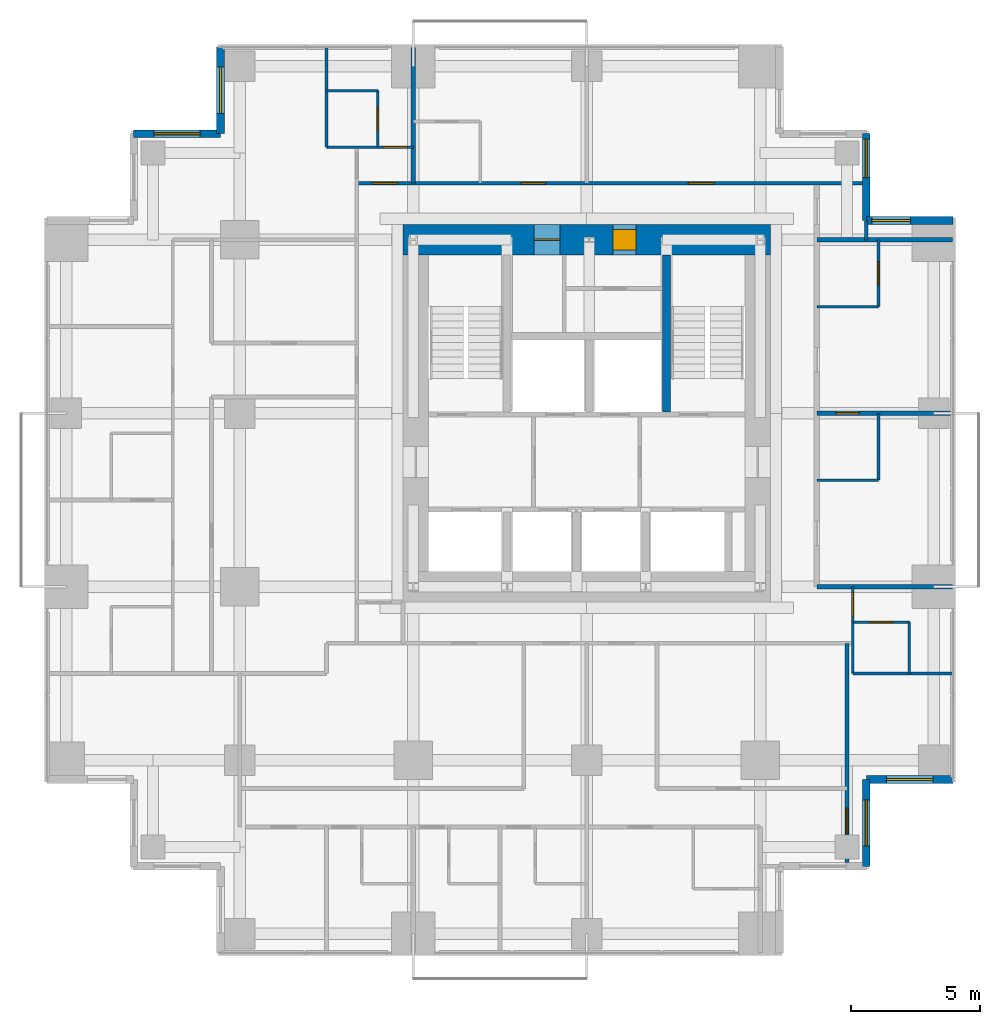
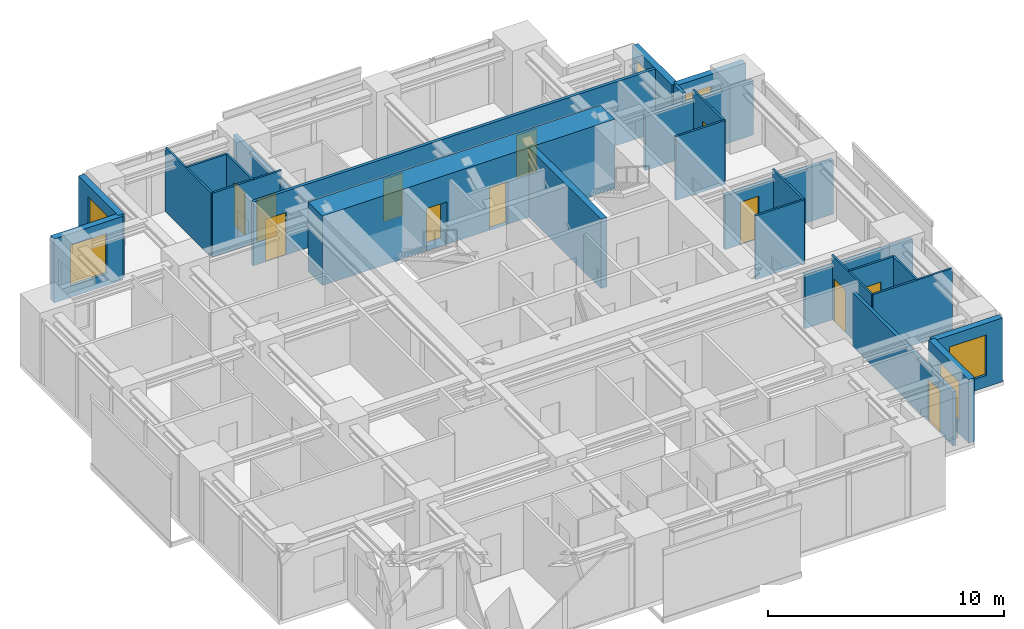
# One storey, part 8 of 10: 27 walls, 12 doors, 6 windows, 18 openings.
"""IFC4 building model written with IfcOpenShell, lengths in metres."""

from ifc_helpers import new_model, si_unit, direction, frame, frame_2d, origin, place, context, subcontext, project, spatial, rectangle, extrude, material, layer, layer_set, type_object, element, fill, save


model = new_model("IFC4")

# Units and contexts
model_context = context("Model", 3, precision=1e-05, world=origin(), true_north=direction((0.0, 1.0)))
body_context = subcontext(model_context, "Body", "Model", "MODEL_VIEW")
ifc_project = project(units=[si_unit("LENGTHUNIT", "METRE"), si_unit("AREAUNIT", "SQUARE_METRE"), si_unit("VOLUMEUNIT", "CUBIC_METRE"), si_unit("PLANEANGLEUNIT", "RADIAN"), si_unit("MASSUNIT", "GRAM", prefix="KILO")], contexts=[model_context])

# Site, building, storey
site_placement = place(None, origin())
site = spatial("IfcSite", under=ifc_project, at=site_placement, CompositionType="ELEMENT")
building_placement = place(site_placement, origin())
building = spatial("IfcBuilding", under=site, at=building_placement, Name="Nyansa Garden Tower", CompositionType="ELEMENT")
storey_placement = place(building_placement, frame((0.0, 0.0, 196.199951171875)))
storey = spatial("IfcBuildingStorey", under=building, at=storey_placement, Name="L53", CompositionType="ELEMENT", Elevation=196.199951171875)

# Walls
ifc_material_1 = material(Name="Dense blockwork, plastered both sides, 55 dB", Category="masonry")
ifc_layer_1 = layer(ifc_material_1, 0.175048828125)
ifc_layer_set_1 = layer_set([ifc_layer_1], Name="Acoustic party wall PW175")
wall_type_1 = type_object("IfcWallType", Name="Acoustic party wall PW175", PredefinedType="PARTITIONING", material=ifc_layer_set_1)
for number, where, z_axis, x_axis, name in (
    (1, (13.5, 29.199951171875, 0.0), (0.0, 0.0, 1.0), (0.0, 1.0, 0.0), "Party wall"),
    (2, (29.199951171875, 13.5, 0.0), (0.0, 0.0, 1.0), (1.0, 0.0, 0.0), "Party wall"),
):
    element("IfcWall", number, at=place(storey_placement, frame(where, z_axis=z_axis, x_axis=x_axis)), inside=storey, type_object=wall_type_1, Name=name, PredefinedType="PARTITIONING", context=body_context, shape_type="SweptSolid", body=[
        extrude(rectangle(XDim=5.283935546875, YDim=0.175048828125, at=frame_2d((2.64208984375, 0.0))), origin(), (0.0, 0.0, 1.0), 2.802001953125),
    ])

# Wall, opening, door
wall_1_placement = place(storey_placement, frame((29.199951171875, 20.25, 0.0), z_axis=(0.0, 0.0, 1.0), x_axis=(1.0, 0.0, 0.0)))
wall_1 = element("IfcWall", 3, at=wall_1_placement, inside=storey, type_object=wall_type_1, Name="Party wall", PredefinedType="PARTITIONING", context=body_context, shape_type="SweptSolid", body=[
    extrude(rectangle(XDim=5.283935546875, YDim=0.175048828125, at=frame_2d((2.64208984375, 0.0))), origin(), (0.0, 0.0, 1.0), 2.802001953125),
])
opening_1_placement = place(wall_1_placement, frame((0.75, 0.0, 0.0)))
opening_1 = element("IfcOpeningElement", 4, at=opening_1_placement, cuts=wall_1, Name="Opening D02", PredefinedType="OPENING", context=body_context, shape_type="SweptSolid", body=[
    extrude(rectangle(XDim=0.89990234375, YDim=2.199951171875, at=frame_2d((0.449951171875, 1.10009765625))), frame((0.0, 0.097412109375, 0.0), z_axis=(0.0, -1.0, 0.0), x_axis=(1.0, 0.0, 0.0)), (0.0, 0.0, 1.0), 0.195068359375),
])
ifc_material_2 = material(Name="Timber flush door", Category="wood")
door_type_1 = type_object("IfcDoorType", Name="En-suite door D02 900x2200", OperationType="SINGLE_SWING_RIGHT", PredefinedType="DOOR", material=ifc_material_2)
door_1_placement = place(opening_1_placement, origin())
door_1 = element("IfcDoor", 5, at=door_1_placement, inside=storey, type_object=door_type_1, Name="Door L53-035", OperationType="SINGLE_SWING_RIGHT", OverallHeight=2.199951171875, OverallWidth=0.89990234375, PredefinedType="DOOR", context=body_context, shape_type="SweptSolid", body=[
    extrude(rectangle(XDim=0.89990234375, YDim=2.199951171875, at=frame_2d((0.449951171875, 1.10009765625))), frame((0.0, 0.02490234375, 0.0), z_axis=(0.0, -1.0, 0.0), x_axis=(1.0, 0.0, 0.0)), (0.0, 0.0, 1.0), 0.050048828125),
])
fill(opening_1, door_1)

# Walls
wall_2_placement = place(storey_placement, frame((29.199951171875, 27.0, 0.0), z_axis=(0.0, 0.0, 1.0), x_axis=(1.0, 0.0, 0.0)))
element("IfcWall", 6, at=wall_2_placement, inside=storey, type_object=wall_type_1, Name="Party wall", PredefinedType="PARTITIONING", context=body_context, shape_type="SweptSolid", body=[
    extrude(rectangle(XDim=5.283935546875, YDim=0.175048828125, at=frame_2d((2.64208984375, 0.0))), origin(), (0.0, 0.0, 1.0), 2.802001953125),
])
ifc_material_3 = material(Name="Concrete C70/85", Category="concrete")
ifc_layer_2 = layer(ifc_material_3, 0.300048828125)
ifc_layer_set_2 = layer_set([ifc_layer_2], Name="Core inner wall CI300")
wall_type_2 = type_object("IfcWallType", Name="Core inner wall CI300", PredefinedType="SHEAR", material=ifc_layer_set_2)
wall_3_placement = place(storey_placement, frame((23.35009765625, 20.300048828125, 0.0), z_axis=(0.0, 0.0, 1.0), x_axis=(0.0, 1.0, 0.0)))
element("IfcWall", 7, at=wall_3_placement, inside=storey, type_object=wall_type_2, Name="Core inner wall L53", PredefinedType="SHEAR", context=body_context, shape_type="SweptSolid", body=[
    extrude(rectangle(XDim=6.099853515625, YDim=0.300048828125, at=frame_2d((3.0498046875, 0.0))), origin(), (0.0, 0.0, 1.0), 3.60009765625),
])

# Wall, openings, doors
ifc_material_4 = material(Name="Concrete C80/95", Category="concrete")
ifc_layer_3 = layer(ifc_material_4, 1.199951171875)
ifc_layer_set_3 = layer_set([ifc_layer_3], Name="Core wall CW1200")
wall_type_3 = type_object("IfcWallType", Name="Core wall CW1200", PredefinedType="SHEAR", material=ifc_layer_set_3)
wall_4_placement = place(storey_placement, frame((27.39990234375, 27.0, 0.0), z_axis=(0.0, 0.0, 1.0), x_axis=(-1.0, 0.0, 0.0)))
wall_4 = element("IfcWall", 8, at=wall_4_placement, inside=storey, type_object=wall_type_3, Name="Core wall N L53", PredefinedType="SHEAR", context=body_context, shape_type="SweptSolid", body=[
    extrude(rectangle(XDim=14.2998046875, YDim=1.199951171875, at=frame_2d((7.14990234375, 0.0))), origin(), (0.0, 0.0, 1.0), 3.60009765625),
])
opening_2_placement = place(wall_4_placement, frame((5.22509765625, 0.0, 0.0)))
opening_2 = element("IfcOpeningElement", 9, at=opening_2_placement, cuts=wall_4, Name="Opening D15", PredefinedType="OPENING", context=body_context, shape_type="SweptSolid", body=[
    extrude(rectangle(XDim=0.89990234375, YDim=2.199951171875, at=frame_2d((0.449951171875, 1.10009765625))), frame((0.0, 0.60986328125, 0.0), z_axis=(0.0, -1.0, 0.0), x_axis=(1.0, 0.0, 0.0)), (0.0, 0.0, 1.0), 1.219970703125),
])
opening_3_placement = place(wall_4_placement, frame((8.199951171875, 0.0, 0.0)))
opening_3 = element("IfcOpeningElement", 10, at=opening_3_placement, cuts=wall_4, Name="Opening D07", PredefinedType="OPENING", context=body_context, shape_type="SweptSolid", body=[
    extrude(rectangle(XDim=1.0, YDim=2.199951171875, at=frame_2d((0.5, 1.10009765625))), frame((0.0, 0.60986328125, 0.0), z_axis=(0.0, -1.0, 0.0), x_axis=(1.0, 0.0, 0.0)), (0.0, 0.0, 1.0), 1.219970703125),
])
ifc_material_5 = material(Name="Timber flush door, 60 minute fire resisting, self-closing", Category="wood")
door_type_2 = type_object("IfcDoorType", Name="Core room door D15 900x2200", OperationType="SINGLE_SWING_LEFT", PredefinedType="DOOR", material=ifc_material_5)
door_2_placement = place(opening_2_placement, origin())
door_2 = element("IfcDoor", 11, at=door_2_placement, inside=storey, type_object=door_type_2, Name="Core room door", OperationType="SINGLE_SWING_LEFT", OverallHeight=2.199951171875, OverallWidth=0.89990234375, PredefinedType="DOOR", context=body_context, shape_type="SweptSolid", body=[
    extrude(rectangle(XDim=0.89990234375, YDim=2.199951171875, at=frame_2d((0.449951171875, 1.10009765625))), frame((0.0, 0.39990234375, 0.0), z_axis=(0.0, -1.0, 0.0), x_axis=(1.0, 0.0, 0.0)), (0.0, 0.0, 1.0), 0.800048828125),
])
fill(opening_2, door_2)
ifc_material_6 = material(Name="Steel door, 120 minute fire resisting", Category="steel")
door_type_3 = type_object("IfcDoorType", Name="Riser door D07 1000x2200", OperationType="SINGLE_SWING_LEFT", PredefinedType="DOOR", material=ifc_material_6)
door_3_placement = place(opening_3_placement, origin())
door_3 = element("IfcDoor", 12, at=door_3_placement, inside=storey, type_object=door_type_3, Name="Riser and refuse room door", OperationType="SINGLE_SWING_LEFT", OverallHeight=2.199951171875, OverallWidth=1.0, PredefinedType="DOOR", context=body_context, shape_type="SweptSolid", body=[
    extrude(rectangle(XDim=1.0, YDim=2.199951171875, at=frame_2d((0.5, 1.10009765625))), frame((0.0, 0.02490234375, 0.0), z_axis=(0.0, -1.0, 0.0), x_axis=(1.0, 0.0, 0.0)), (0.0, 0.0, 1.0), 0.050048828125),
])
fill(opening_3, door_3)

ifc_material_7 = material(Name="Blockwork, plastered both sides", Category="masonry")
ifc_layer_4 = layer(ifc_material_7, 0.14990234375)
ifc_layer_set_4 = layer_set([ifc_layer_4], Name="Partition PW150")
wall_type_4 = type_object("IfcWallType", Name="Partition PW150", PredefinedType="PARTITIONING", material=ifc_layer_set_4)
wall_5_placement = place(storey_placement, frame((11.300048828125, 29.199951171875, 0.0), z_axis=(0.0, 0.0, 1.0), x_axis=(1.0, 0.0, 0.0)))
wall_5 = element("IfcWall", 13, at=wall_5_placement, inside=storey, type_object=wall_type_4, Name="Partition", PredefinedType="PARTITIONING", context=body_context, shape_type="SweptSolid", body=[
    extrude(rectangle(XDim=19.808837890625, YDim=0.14990234375, at=frame_2d((9.904296875, 0.0))), origin(), (0.0, 0.0, 1.0), 3.300048828125),
])
opening_4_placement = place(wall_5_placement, frame((12.89990234375, 0.0, 0.0)))
opening_4 = element("IfcOpeningElement", 14, at=opening_4_placement, cuts=wall_5, Name="Opening D03", PredefinedType="OPENING", context=body_context, shape_type="SweptSolid", body=[
    extrude(rectangle(XDim=1.0, YDim=2.199951171875, at=frame_2d((0.5, 1.10009765625))), frame((0.0, 0.0849609375, 0.0), z_axis=(0.0, -1.0, 0.0), x_axis=(1.0, 0.0, 0.0)), (0.0, 0.0, 1.0), 0.169921875),
])
opening_5_placement = place(wall_5_placement, frame((6.39990234375, 0.0, 0.0)))
opening_5 = element("IfcOpeningElement", 15, at=opening_5_placement, cuts=wall_5, Name="Opening D14", PredefinedType="OPENING", context=body_context, shape_type="SweptSolid", body=[
    extrude(rectangle(XDim=0.949951171875, YDim=2.199951171875, at=frame_2d((0.47509765625, 1.10009765625))), frame((0.0, 0.0849609375, 0.0), z_axis=(0.0, -1.0, 0.0), x_axis=(1.0, 0.0, 0.0)), (0.0, 0.0, 1.0), 0.169921875),
])
opening_6_placement = place(wall_5_placement, frame((0.60009765625, 0.0, 0.0)))
opening_6 = element("IfcOpeningElement", 16, at=opening_6_placement, cuts=wall_5, Name="Opening D03", PredefinedType="OPENING", context=body_context, shape_type="SweptSolid", body=[
    extrude(rectangle(XDim=1.0, YDim=2.199951171875, at=frame_2d((0.5, 1.10009765625))), frame((0.0, 0.0849609375, 0.0), z_axis=(0.0, -1.0, 0.0), x_axis=(1.0, 0.0, 0.0)), (0.0, 0.0, 1.0), 0.169921875),
])
ifc_material_8 = material(Name="Timber flush door, 60 minute fire resisting", Category="wood")
door_type_4 = type_object("IfcDoorType", Name="Cluster entrance door D03 1000x2200", OperationType="SINGLE_SWING_LEFT", PredefinedType="DOOR", material=ifc_material_8)
door_4_placement = place(opening_4_placement, origin())
door_4 = element("IfcDoor", 17, at=door_4_placement, inside=storey, type_object=door_type_4, Name="Door L53-039", OperationType="SINGLE_SWING_LEFT", OverallHeight=2.199951171875, OverallWidth=1.0, PredefinedType="DOOR", context=body_context, shape_type="SweptSolid", body=[
    extrude(rectangle(XDim=1.0, YDim=2.199951171875, at=frame_2d((0.5, 1.10009765625))), frame((0.0, 0.02490234375, 0.0), z_axis=(0.0, -1.0, 0.0), x_axis=(1.0, 0.0, 0.0)), (0.0, 0.0, 1.0), 0.050048828125),
])
fill(opening_4, door_4)
door_5_placement = place(opening_6_placement, origin())
door_5 = element("IfcDoor", 18, at=door_5_placement, inside=storey, type_object=door_type_4, Name="Door L53-044", OperationType="SINGLE_SWING_LEFT", OverallHeight=2.199951171875, OverallWidth=1.0, PredefinedType="DOOR", context=body_context, shape_type="SweptSolid", body=[
    extrude(rectangle(XDim=1.0, YDim=2.199951171875, at=frame_2d((0.5, 1.10009765625))), frame((0.0, 0.02490234375, 0.0), z_axis=(0.0, -1.0, 0.0), x_axis=(1.0, 0.0, 0.0)), (0.0, 0.0, 1.0), 0.050048828125),
])
fill(opening_6, door_5)
ifc_material_9 = material(Name="Timber flush door, 60 minute fire resisting, self-closing", Category="wood")
door_type_5 = type_object("IfcDoorType", Name="Studio entrance door D14 950x2200", OperationType="SINGLE_SWING_LEFT", PredefinedType="DOOR", material=ifc_material_9)
door_6_placement = place(opening_5_placement, origin())
door_6 = element("IfcDoor", 19, at=door_6_placement, inside=storey, type_object=door_type_5, Name="Door L53-040", OperationType="SINGLE_SWING_LEFT", OverallHeight=2.199951171875, OverallWidth=0.949951171875, PredefinedType="DOOR", context=body_context, shape_type="SweptSolid", body=[
    extrude(rectangle(XDim=0.949951171875, YDim=2.199951171875, at=frame_2d((0.47509765625, 1.10009765625))), frame((0.0, 0.02490234375, 0.0), z_axis=(0.0, -1.0, 0.0), x_axis=(1.0, 0.0, 0.0)), (0.0, 0.0, 1.0), 0.050048828125),
])
fill(opening_5, door_6)

# Wall, opening, door
wall_6_placement = place(storey_placement, frame((30.375, 2.77490234375, 0.0), z_axis=(0.0, 0.0, 1.0), x_axis=(0.0, 1.0, 0.0)))
wall_6 = element("IfcWall", 20, at=wall_6_placement, inside=storey, type_object=wall_type_4, Name="Partition", PredefinedType="PARTITIONING", context=body_context, shape_type="SweptSolid", body=[
    extrude(rectangle(XDim=8.525146484375, YDim=0.14990234375, at=frame_2d((4.2626953125, 0.0))), origin(), (0.0, 0.0, 1.0), 2.802001953125),
])
opening_7_placement = place(wall_6_placement, frame((1.115966796875, 0.0, 0.0)))
opening_7 = element("IfcOpeningElement", 21, at=opening_7_placement, cuts=wall_6, Name="Opening D03", PredefinedType="OPENING", context=body_context, shape_type="SweptSolid", body=[
    extrude(rectangle(XDim=1.0, YDim=2.199951171875, at=frame_2d((0.5, 1.10009765625))), frame((0.0, 0.0849609375, 0.0), z_axis=(0.0, -1.0, 0.0), x_axis=(1.0, 0.0, 0.0)), (0.0, 0.0, 1.0), 0.169921875),
])
door_7_placement = place(opening_7_placement, origin())
door_7 = element("IfcDoor", 22, at=door_7_placement, inside=storey, type_object=door_type_4, Name="Door L53-031", OperationType="SINGLE_SWING_LEFT", OverallHeight=2.199951171875, OverallWidth=1.0, PredefinedType="DOOR", context=body_context, shape_type="SweptSolid", body=[
    extrude(rectangle(XDim=1.0, YDim=2.199951171875, at=frame_2d((0.5, 1.10009765625))), frame((0.0, 0.02490234375, 0.0), z_axis=(0.0, -1.0, 0.0), x_axis=(1.0, 0.0, 0.0)), (0.0, 0.0, 1.0), 0.050048828125),
])
fill(opening_7, door_7)

# Wall
wall_7_placement = place(storey_placement, frame((31.125, 27.0, 0.0), z_axis=(0.0, 0.0, 1.0), x_axis=(0.0, 1.0, 0.0)))
element("IfcWall", 23, at=wall_7_placement, inside=storey, type_object=wall_type_4, Name="Partition", PredefinedType="PARTITIONING", context=body_context, shape_type="SweptSolid", body=[
    extrude(rectangle(XDim=0.73388671875, YDim=0.14990234375, at=frame_2d((0.366943359375, 0.0))), origin(), (0.0, 0.0, 1.0), 3.300048828125),
])

# Wall, opening, window
ifc_material_10 = material(Name="Turquoise glazed tile on concrete blockwork", Category="masonry")
ifc_layer_5 = layer(ifc_material_10, 0.300048828125)
ifc_layer_set_5 = layer_set([ifc_layer_5], Name="Tiled corner wall TW300")
wall_type_5 = type_object("IfcWallType", Name="Tiled corner wall TW300", PredefinedType="SOLIDWALL", material=ifc_layer_set_5)
wall_8_placement = place(storey_placement, frame((34.5, 27.75, 0.0), z_axis=(0.0, 0.0, 1.0), x_axis=(-1.0, 0.0, 0.0)))
wall_8 = element("IfcWall", 24, at=wall_8_placement, inside=storey, type_object=wall_type_5, Name="Tiled corner wall L53", PredefinedType="SOLIDWALL", context=body_context, shape_type="SweptSolid", body=[
    extrude(rectangle(XDim=3.375, YDim=0.300048828125, at=frame_2d((1.6875, 0.0))), origin(), (0.0, 0.0, 1.0), 3.300048828125),
])
opening_8_placement = place(wall_8_placement, frame((1.657470703125, 0.0, 0.89990234375)))
opening_8 = element("IfcOpeningElement", 25, at=opening_8_placement, cuts=wall_8, Name="Opening W1", PredefinedType="OPENING", context=body_context, shape_type="SweptSolid", body=[
    extrude(rectangle(XDim=1.5, YDim=1.800048828125, at=frame_2d((0.75, 0.89990234375))), frame((0.0, 0.159912109375, 0.0), z_axis=(0.0, -1.0, 0.0), x_axis=(1.0, 0.0, 0.0)), (0.0, 0.0, 1.0), 0.320068359375),
])
ifc_material_11 = material(Name="Black aluminium frame, dark tinted double glazing", Category="aluminium")
window_type_1 = type_object("IfcWindowType", Name="Window W1 1500x1800", PartitioningType="SINGLE_PANEL", PredefinedType="WINDOW", material=ifc_material_11)
window_1_placement = place(opening_8_placement, origin())
window_1 = element("IfcWindow", 26, at=window_1_placement, inside=storey, type_object=window_type_1, Name="Corner window L53", OverallHeight=1.800048828125, OverallWidth=1.5, PartitioningType="SINGLE_PANEL", PredefinedType="WINDOW", context=body_context, shape_type="SweptSolid", body=[
    extrude(rectangle(XDim=1.5, YDim=1.800048828125, at=frame_2d((0.75, 0.89990234375))), frame((0.0, 0.030029296875, 0.0), z_axis=(0.0, -1.0, 0.0), x_axis=(1.0, 0.0, 0.0)), (0.0, 0.0, 1.0), 0.06005859375),
])
fill(opening_8, window_1)

wall_9_placement = place(storey_placement, frame((31.125, 27.75, 0.0), z_axis=(0.0, 0.0, 1.0), x_axis=(0.0, 1.0, 0.0)))
wall_9 = element("IfcWall", 27, at=wall_9_placement, inside=storey, type_object=wall_type_5, Name="Tiled corner wall L53", PredefinedType="SOLIDWALL", context=body_context, shape_type="SweptSolid", body=[
    extrude(rectangle(XDim=3.375, YDim=0.300048828125, at=frame_2d((1.6875, 0.0))), origin(), (0.0, 0.0, 1.0), 3.300048828125),
])
opening_9_placement = place(wall_9_placement, frame((1.66259765625, 0.0, 0.89990234375)))
opening_9 = element("IfcOpeningElement", 28, at=opening_9_placement, cuts=wall_9, Name="Opening W1", PredefinedType="OPENING", context=body_context, shape_type="SweptSolid", body=[
    extrude(rectangle(XDim=1.5, YDim=1.800048828125, at=frame_2d((0.75, 0.89990234375))), frame((0.0, 0.159912109375, 0.0), z_axis=(0.0, -1.0, 0.0), x_axis=(1.0, 0.0, 0.0)), (0.0, 0.0, 1.0), 0.320068359375),
])
window_2_placement = place(opening_9_placement, origin())
window_2 = element("IfcWindow", 29, at=window_2_placement, inside=storey, type_object=window_type_1, Name="Corner window L53", OverallHeight=1.800048828125, OverallWidth=1.5, PartitioningType="SINGLE_PANEL", PredefinedType="WINDOW", context=body_context, shape_type="SweptSolid", body=[
    extrude(rectangle(XDim=1.5, YDim=1.800048828125, at=frame_2d((0.75, 0.89990234375))), frame((0.0, 0.030029296875, 0.0), z_axis=(0.0, -1.0, 0.0), x_axis=(1.0, 0.0, 0.0)), (0.0, 0.0, 1.0), 0.06005859375),
])
fill(opening_9, window_2)

wall_10_placement = place(storey_placement, frame((6.0, 34.5, 0.0), z_axis=(0.0, 0.0, 1.0), x_axis=(0.0, -1.0, 0.0)))
wall_10 = element("IfcWall", 30, at=wall_10_placement, inside=storey, type_object=wall_type_5, Name="Tiled corner wall L53", PredefinedType="SOLIDWALL", context=body_context, shape_type="SweptSolid", body=[
    extrude(rectangle(XDim=3.375, YDim=0.300048828125, at=frame_2d((1.6875, 0.0))), origin(), (0.0, 0.0, 1.0), 3.300048828125),
])
opening_10_placement = place(wall_10_placement, frame((0.78759765625, 0.0, 0.60009765625)))
opening_10 = element("IfcOpeningElement", 31, at=opening_10_placement, cuts=wall_10, Name="Opening W2", PredefinedType="OPENING", context=body_context, shape_type="SweptSolid", body=[
    extrude(rectangle(XDim=1.800048828125, YDim=2.10009765625, at=frame_2d((0.89990234375, 1.050048828125))), frame((0.0, 0.159912109375, 0.0), z_axis=(0.0, -1.0, 0.0), x_axis=(1.0, 0.0, 0.0)), (0.0, 0.0, 1.0), 0.320068359375),
])
ifc_material_12 = material(Name="Black aluminium frame, dark tinted double glazing", Category="aluminium")
window_type_2 = type_object("IfcWindowType", Name="Window W2 1800x2100", PartitioningType="SINGLE_PANEL", PredefinedType="WINDOW", material=ifc_material_12)
window_3_placement = place(opening_10_placement, origin())
window_3 = element("IfcWindow", 32, at=window_3_placement, inside=storey, type_object=window_type_2, Name="Corner window L53", OverallHeight=2.10009765625, OverallWidth=1.800048828125, PartitioningType="SINGLE_PANEL", PredefinedType="WINDOW", context=body_context, shape_type="SweptSolid", body=[
    extrude(rectangle(XDim=1.800048828125, YDim=2.10009765625, at=frame_2d((0.89990234375, 1.050048828125))), frame((0.0, 0.030029296875, 0.0), z_axis=(0.0, -1.0, 0.0), x_axis=(1.0, 0.0, 0.0)), (0.0, 0.0, 1.0), 0.06005859375),
])
fill(opening_10, window_3)

wall_11_placement = place(storey_placement, frame((6.0, 31.125, 0.0), z_axis=(0.0, 0.0, 1.0), x_axis=(-1.0, 0.0, 0.0)))
wall_11 = element("IfcWall", 33, at=wall_11_placement, inside=storey, type_object=wall_type_5, Name="Tiled corner wall L53", PredefinedType="SOLIDWALL", context=body_context, shape_type="SweptSolid", body=[
    extrude(rectangle(XDim=3.375, YDim=0.300048828125, at=frame_2d((1.6875, 0.0))), origin(), (0.0, 0.0, 1.0), 3.300048828125),
])
opening_11_placement = place(wall_11_placement, frame((0.78759765625, 0.0, 0.60009765625)))
opening_11 = element("IfcOpeningElement", 34, at=opening_11_placement, cuts=wall_11, Name="Opening W2", PredefinedType="OPENING", context=body_context, shape_type="SweptSolid", body=[
    extrude(rectangle(XDim=1.800048828125, YDim=2.10009765625, at=frame_2d((0.89990234375, 1.050048828125))), frame((0.0, 0.159912109375, 0.0), z_axis=(0.0, -1.0, 0.0), x_axis=(1.0, 0.0, 0.0)), (0.0, 0.0, 1.0), 0.320068359375),
])
window_4_placement = place(opening_11_placement, origin())
window_4 = element("IfcWindow", 35, at=window_4_placement, inside=storey, type_object=window_type_2, Name="Corner window L53", OverallHeight=2.10009765625, OverallWidth=1.800048828125, PartitioningType="SINGLE_PANEL", PredefinedType="WINDOW", context=body_context, shape_type="SweptSolid", body=[
    extrude(rectangle(XDim=1.800048828125, YDim=2.10009765625, at=frame_2d((0.89990234375, 1.050048828125))), frame((0.0, 0.030029296875, 0.0), z_axis=(0.0, -1.0, 0.0), x_axis=(1.0, 0.0, 0.0)), (0.0, 0.0, 1.0), 0.06005859375),
])
fill(opening_11, window_4)

wall_12_placement = place(storey_placement, frame((31.125, 2.625, 0.0), z_axis=(0.0, 0.0, 1.0), x_axis=(0.0, 1.0, 0.0)))
wall_12 = element("IfcWall", 36, at=wall_12_placement, inside=storey, type_object=wall_type_5, Name="Tiled corner wall L53", PredefinedType="SOLIDWALL", context=body_context, shape_type="SweptSolid", body=[
    extrude(rectangle(XDim=3.375, YDim=0.300048828125, at=frame_2d((1.6875, 0.0))), origin(), (0.0, 0.0, 1.0), 3.300048828125),
])
opening_12_placement = place(wall_12_placement, frame((0.78759765625, 0.0, 0.60009765625)))
opening_12 = element("IfcOpeningElement", 37, at=opening_12_placement, cuts=wall_12, Name="Opening W2", PredefinedType="OPENING", context=body_context, shape_type="SweptSolid", body=[
    extrude(rectangle(XDim=1.800048828125, YDim=2.10009765625, at=frame_2d((0.89990234375, 1.050048828125))), frame((0.0, 0.159912109375, 0.0), z_axis=(0.0, -1.0, 0.0), x_axis=(1.0, 0.0, 0.0)), (0.0, 0.0, 1.0), 0.320068359375),
])
window_5_placement = place(opening_12_placement, origin())
window_5 = element("IfcWindow", 38, at=window_5_placement, inside=storey, type_object=window_type_2, Name="Corner window L53", OverallHeight=2.10009765625, OverallWidth=1.800048828125, PartitioningType="SINGLE_PANEL", PredefinedType="WINDOW", context=body_context, shape_type="SweptSolid", body=[
    extrude(rectangle(XDim=1.800048828125, YDim=2.10009765625, at=frame_2d((0.89990234375, 1.050048828125))), frame((0.0, 0.030029296875, 0.0), z_axis=(0.0, -1.0, 0.0), x_axis=(1.0, 0.0, 0.0)), (0.0, 0.0, 1.0), 0.06005859375),
])
fill(opening_12, window_5)

wall_13_placement = place(storey_placement, frame((31.125, 6.0, 0.0), z_axis=(0.0, 0.0, 1.0), x_axis=(1.0, 0.0, 0.0)))
wall_13 = element("IfcWall", 39, at=wall_13_placement, inside=storey, type_object=wall_type_5, Name="Tiled corner wall L53", PredefinedType="SOLIDWALL", context=body_context, shape_type="SweptSolid", body=[
    extrude(rectangle(XDim=3.375, YDim=0.300048828125, at=frame_2d((1.6875, 0.0))), origin(), (0.0, 0.0, 1.0), 3.300048828125),
])
opening_13_placement = place(wall_13_placement, frame((0.78759765625, 0.0, 0.60009765625)))
opening_13 = element("IfcOpeningElement", 40, at=opening_13_placement, cuts=wall_13, Name="Opening W2", PredefinedType="OPENING", context=body_context, shape_type="SweptSolid", body=[
    extrude(rectangle(XDim=1.800048828125, YDim=2.10009765625, at=frame_2d((0.89990234375, 1.050048828125))), frame((0.0, 0.159912109375, 0.0), z_axis=(0.0, -1.0, 0.0), x_axis=(1.0, 0.0, 0.0)), (0.0, 0.0, 1.0), 0.320068359375),
])
window_6_placement = place(opening_13_placement, origin())
window_6 = element("IfcWindow", 41, at=window_6_placement, inside=storey, type_object=window_type_2, Name="Corner window L53", OverallHeight=2.10009765625, OverallWidth=1.800048828125, PartitioningType="SINGLE_PANEL", PredefinedType="WINDOW", context=body_context, shape_type="SweptSolid", body=[
    extrude(rectangle(XDim=1.800048828125, YDim=2.10009765625, at=frame_2d((0.89990234375, 1.050048828125))), frame((0.0, 0.030029296875, 0.0), z_axis=(0.0, -1.0, 0.0), x_axis=(1.0, 0.0, 0.0)), (0.0, 0.0, 1.0), 0.06005859375),
])
fill(opening_13, window_6)

# Wall
ifc_material_13 = material(Name="Moisture resistant board on steel studs, tiled", Category="steel")
ifc_layer_6 = layer(ifc_material_13, 0.10009765625)
ifc_layer_set_6 = layer_set([ifc_layer_6], Name="Wet wall PW100")
wall_type_6 = type_object("IfcWallType", Name="Wet wall PW100", PredefinedType="PARTITIONING", material=ifc_layer_set_6)
wall_14_placement = place(storey_placement, frame((10.125, 30.60009765625, 0.0), z_axis=(0.0, 0.0, 1.0), x_axis=(0.0, 1.0, 0.0)))
element("IfcWall", 42, at=wall_14_placement, inside=storey, type_object=wall_type_6, Name="Wet wall", PredefinedType="PARTITIONING", context=body_context, shape_type="SweptSolid", body=[
    extrude(rectangle(XDim=3.8837890625, YDim=0.10009765625, at=frame_2d((1.94189453125, 0.0))), origin(), (0.0, 0.0, 1.0), 3.300048828125),
])

# Wall, opening, door
wall_15_placement = place(storey_placement, frame((10.125, 30.60009765625, 0.0), z_axis=(0.0, 0.0, 1.0), x_axis=(1.0, 0.0, 0.0)))
wall_15 = element("IfcWall", 43, at=wall_15_placement, inside=storey, type_object=wall_type_6, Name="Wet wall", PredefinedType="PARTITIONING", context=body_context, shape_type="SweptSolid", body=[
    extrude(rectangle(XDim=3.375, YDim=0.10009765625, at=frame_2d((1.6875, 0.0))), origin(), (0.0, 0.0, 1.0), 3.300048828125),
])
opening_14_placement = place(wall_15_placement, frame((2.199951171875, 0.0, 0.0)))
opening_14 = element("IfcOpeningElement", 44, at=opening_14_placement, cuts=wall_15, Name="Opening D14", PredefinedType="OPENING", context=body_context, shape_type="SweptSolid", body=[
    extrude(rectangle(XDim=0.949951171875, YDim=2.199951171875, at=frame_2d((0.47509765625, 1.10009765625))), frame((0.0, 0.06005859375, 0.0), z_axis=(0.0, -1.0, 0.0), x_axis=(1.0, 0.0, 0.0)), (0.0, 0.0, 1.0), 0.1201171875),
])
door_8_placement = place(opening_14_placement, origin())
door_8 = element("IfcDoor", 45, at=door_8_placement, inside=storey, type_object=door_type_5, Name="Door L53-042", OperationType="SINGLE_SWING_LEFT", OverallHeight=2.199951171875, OverallWidth=0.949951171875, PredefinedType="DOOR", context=body_context, shape_type="SweptSolid", body=[
    extrude(rectangle(XDim=0.949951171875, YDim=2.199951171875, at=frame_2d((0.47509765625, 1.10009765625))), frame((0.0, 0.02490234375, 0.0), z_axis=(0.0, -1.0, 0.0), x_axis=(1.0, 0.0, 0.0)), (0.0, 0.0, 1.0), 0.050048828125),
])
fill(opening_14, door_8)

# Wall
wall_16_placement = place(storey_placement, frame((10.125, 32.800048828125, 0.0), z_axis=(0.0, 0.0, 1.0), x_axis=(1.0, 0.0, 0.0)))
element("IfcWall", 46, at=wall_16_placement, inside=storey, type_object=wall_type_6, Name="Wet wall", PredefinedType="PARTITIONING", context=body_context, shape_type="SweptSolid", body=[
    extrude(rectangle(XDim=2.0, YDim=0.10009765625, at=frame_2d((1.0, 0.0))), origin(), (0.0, 0.0, 1.0), 3.300048828125),
])

# Wall, opening, door
wall_17_placement = place(storey_placement, frame((12.125, 30.60009765625, 0.0), z_axis=(0.0, 0.0, 1.0), x_axis=(0.0, 1.0, 0.0)))
wall_17 = element("IfcWall", 47, at=wall_17_placement, inside=storey, type_object=wall_type_6, Name="Wet wall", PredefinedType="PARTITIONING", context=body_context, shape_type="SweptSolid", body=[
    extrude(rectangle(XDim=2.199951171875, YDim=0.10009765625, at=frame_2d((1.10009765625, 0.0))), origin(), (0.0, 0.0, 1.0), 3.300048828125),
])
opening_15_placement = place(wall_17_placement, frame((0.64990234375, 0.0, 0.0)))
opening_15 = element("IfcOpeningElement", 48, at=opening_15_placement, cuts=wall_17, Name="Opening D02", PredefinedType="OPENING", context=body_context, shape_type="SweptSolid", body=[
    extrude(rectangle(XDim=0.89990234375, YDim=2.199951171875, at=frame_2d((0.449951171875, 1.10009765625))), frame((0.0, 0.06005859375, 0.0), z_axis=(0.0, -1.0, 0.0), x_axis=(1.0, 0.0, 0.0)), (0.0, 0.0, 1.0), 0.1201171875),
])
door_9_placement = place(opening_15_placement, origin())
door_9 = element("IfcDoor", 49, at=door_9_placement, inside=storey, type_object=door_type_1, Name="Door L53-043", OperationType="SINGLE_SWING_RIGHT", OverallHeight=2.199951171875, OverallWidth=0.89990234375, PredefinedType="DOOR", context=body_context, shape_type="SweptSolid", body=[
    extrude(rectangle(XDim=0.89990234375, YDim=2.199951171875, at=frame_2d((0.449951171875, 1.10009765625))), frame((0.0, 0.02490234375, 0.0), z_axis=(0.0, -1.0, 0.0), x_axis=(1.0, 0.0, 0.0)), (0.0, 0.0, 1.0), 0.050048828125),
])
fill(opening_15, door_9)

# Walls
for number, where, z_axis, x_axis, name in (
    (50, (29.199951171875, 17.64990234375, 0.0), (0.0, 0.0, 1.0), (1.0, 0.0, 0.0), "Wet wall"),
    (51, (29.199951171875, 24.39990234375, 0.0), (0.0, 0.0, 1.0), (1.0, 0.0, 0.0), "Wet wall"),
):
    element("IfcWall", number, at=place(storey_placement, frame(where, z_axis=z_axis, x_axis=x_axis)), inside=storey, type_object=wall_type_6, Name=name, PredefinedType="PARTITIONING", context=body_context, shape_type="SweptSolid", body=[
        extrude(rectangle(XDim=2.400146484375, YDim=0.10009765625, at=frame_2d((1.2001953125, 0.0))), origin(), (0.0, 0.0, 1.0), 3.300048828125),
    ])

# Wall, opening, door
wall_18_placement = place(storey_placement, frame((30.60009765625, 10.125, 0.0), z_axis=(0.0, 0.0, 1.0), x_axis=(0.0, 1.0, 0.0)))
wall_18 = element("IfcWall", 52, at=wall_18_placement, inside=storey, type_object=wall_type_6, Name="Wet wall", PredefinedType="PARTITIONING", context=body_context, shape_type="SweptSolid", body=[
    extrude(rectangle(XDim=3.375, YDim=0.10009765625, at=frame_2d((1.6875, 0.0))), origin(), (0.0, 0.0, 1.0), 3.300048828125),
])
opening_16_placement = place(wall_18_placement, frame((2.199951171875, 0.0, 0.0)))
opening_16 = element("IfcOpeningElement", 53, at=opening_16_placement, cuts=wall_18, Name="Opening D14", PredefinedType="OPENING", context=body_context, shape_type="SweptSolid", body=[
    extrude(rectangle(XDim=0.949951171875, YDim=2.199951171875, at=frame_2d((0.47509765625, 1.10009765625))), frame((0.0, 0.06005859375, 0.0), z_axis=(0.0, -1.0, 0.0), x_axis=(1.0, 0.0, 0.0)), (0.0, 0.0, 1.0), 0.1201171875),
])
door_10_placement = place(opening_16_placement, origin())
door_10 = element("IfcDoor", 54, at=door_10_placement, inside=storey, type_object=door_type_5, Name="Door L53-036", OperationType="SINGLE_SWING_LEFT", OverallHeight=2.199951171875, OverallWidth=0.949951171875, PredefinedType="DOOR", context=body_context, shape_type="SweptSolid", body=[
    extrude(rectangle(XDim=0.949951171875, YDim=2.199951171875, at=frame_2d((0.47509765625, 1.10009765625))), frame((0.0, 0.02490234375, 0.0), z_axis=(0.0, -1.0, 0.0), x_axis=(1.0, 0.0, 0.0)), (0.0, 0.0, 1.0), 0.050048828125),
])
fill(opening_16, door_10)

# Wall
wall_19_placement = place(storey_placement, frame((30.60009765625, 10.125, 0.0), z_axis=(0.0, 0.0, 1.0), x_axis=(1.0, 0.0, 0.0)))
element("IfcWall", 55, at=wall_19_placement, inside=storey, type_object=wall_type_6, Name="Wet wall", PredefinedType="PARTITIONING", context=body_context, shape_type="SweptSolid", body=[
    extrude(rectangle(XDim=3.8837890625, YDim=0.10009765625, at=frame_2d((1.94189453125, 0.0))), origin(), (0.0, 0.0, 1.0), 3.300048828125),
])

# Wall, opening, door
wall_20_placement = place(storey_placement, frame((30.60009765625, 12.125, 0.0), z_axis=(0.0, 0.0, 1.0), x_axis=(1.0, 0.0, 0.0)))
wall_20 = element("IfcWall", 56, at=wall_20_placement, inside=storey, type_object=wall_type_6, Name="Wet wall", PredefinedType="PARTITIONING", context=body_context, shape_type="SweptSolid", body=[
    extrude(rectangle(XDim=2.199951171875, YDim=0.10009765625, at=frame_2d((1.10009765625, 0.0))), origin(), (0.0, 0.0, 1.0), 3.300048828125),
])
opening_17_placement = place(wall_20_placement, frame((0.64990234375, 0.0, 0.0)))
opening_17 = element("IfcOpeningElement", 57, at=opening_17_placement, cuts=wall_20, Name="Opening D02", PredefinedType="OPENING", context=body_context, shape_type="SweptSolid", body=[
    extrude(rectangle(XDim=0.89990234375, YDim=2.199951171875, at=frame_2d((0.449951171875, 1.10009765625))), frame((0.0, 0.06005859375, 0.0), z_axis=(0.0, -1.0, 0.0), x_axis=(1.0, 0.0, 0.0)), (0.0, 0.0, 1.0), 0.1201171875),
])
door_11_placement = place(opening_17_placement, origin())
door_11 = element("IfcDoor", 58, at=door_11_placement, inside=storey, type_object=door_type_1, Name="Door L53-037", OperationType="SINGLE_SWING_RIGHT", OverallHeight=2.199951171875, OverallWidth=0.89990234375, PredefinedType="DOOR", context=body_context, shape_type="SweptSolid", body=[
    extrude(rectangle(XDim=0.89990234375, YDim=2.199951171875, at=frame_2d((0.449951171875, 1.10009765625))), frame((0.0, 0.02490234375, 0.0), z_axis=(0.0, -1.0, 0.0), x_axis=(1.0, 0.0, 0.0)), (0.0, 0.0, 1.0), 0.050048828125),
])
fill(opening_17, door_11)

# Wall
wall_21_placement = place(storey_placement, frame((31.60009765625, 17.64990234375, 0.0), z_axis=(0.0, 0.0, 1.0), x_axis=(0.0, 1.0, 0.0)))
element("IfcWall", 59, at=wall_21_placement, inside=storey, type_object=wall_type_6, Name="Wet wall", PredefinedType="PARTITIONING", context=body_context, shape_type="SweptSolid", body=[
    extrude(rectangle(XDim=2.60009765625, YDim=0.10009765625, at=frame_2d((1.300048828125, 0.0))), origin(), (0.0, 0.0, 1.0), 3.300048828125),
])

# Wall, opening, door
wall_22_placement = place(storey_placement, frame((31.60009765625, 24.39990234375, 0.0), z_axis=(0.0, 0.0, 1.0), x_axis=(0.0, 1.0, 0.0)))
wall_22 = element("IfcWall", 60, at=wall_22_placement, inside=storey, type_object=wall_type_6, Name="Wet wall", PredefinedType="PARTITIONING", context=body_context, shape_type="SweptSolid", body=[
    extrude(rectangle(XDim=2.60009765625, YDim=0.10009765625, at=frame_2d((1.300048828125, 0.0))), origin(), (0.0, 0.0, 1.0), 3.300048828125),
])
opening_18_placement = place(wall_22_placement, frame((0.85009765625, 0.0, 0.0)))
opening_18 = element("IfcOpeningElement", 61, at=opening_18_placement, cuts=wall_22, Name="Opening D02", PredefinedType="OPENING", context=body_context, shape_type="SweptSolid", body=[
    extrude(rectangle(XDim=0.89990234375, YDim=2.199951171875, at=frame_2d((0.449951171875, 1.10009765625))), frame((0.0, 0.06005859375, 0.0), z_axis=(0.0, -1.0, 0.0), x_axis=(1.0, 0.0, 0.0)), (0.0, 0.0, 1.0), 0.1201171875),
])
door_12_placement = place(opening_18_placement, origin())
door_12 = element("IfcDoor", 62, at=door_12_placement, inside=storey, type_object=door_type_1, Name="Door L53-033", OperationType="SINGLE_SWING_RIGHT", OverallHeight=2.199951171875, OverallWidth=0.89990234375, PredefinedType="DOOR", context=body_context, shape_type="SweptSolid", body=[
    extrude(rectangle(XDim=0.89990234375, YDim=2.199951171875, at=frame_2d((0.449951171875, 1.10009765625))), frame((0.0, 0.02490234375, 0.0), z_axis=(0.0, -1.0, 0.0), x_axis=(1.0, 0.0, 0.0)), (0.0, 0.0, 1.0), 0.050048828125),
])
fill(opening_18, door_12)

# Wall
wall_23_placement = place(storey_placement, frame((32.800048828125, 10.125, 0.0), z_axis=(0.0, 0.0, 1.0), x_axis=(0.0, 1.0, 0.0)))
element("IfcWall", 63, at=wall_23_placement, inside=storey, type_object=wall_type_6, Name="Wet wall", PredefinedType="PARTITIONING", context=body_context, shape_type="SweptSolid", body=[
    extrude(rectangle(XDim=2.0, YDim=0.10009765625, at=frame_2d((1.0, 0.0))), origin(), (0.0, 0.0, 1.0), 3.300048828125),
])

save(model, "model.ifc")
